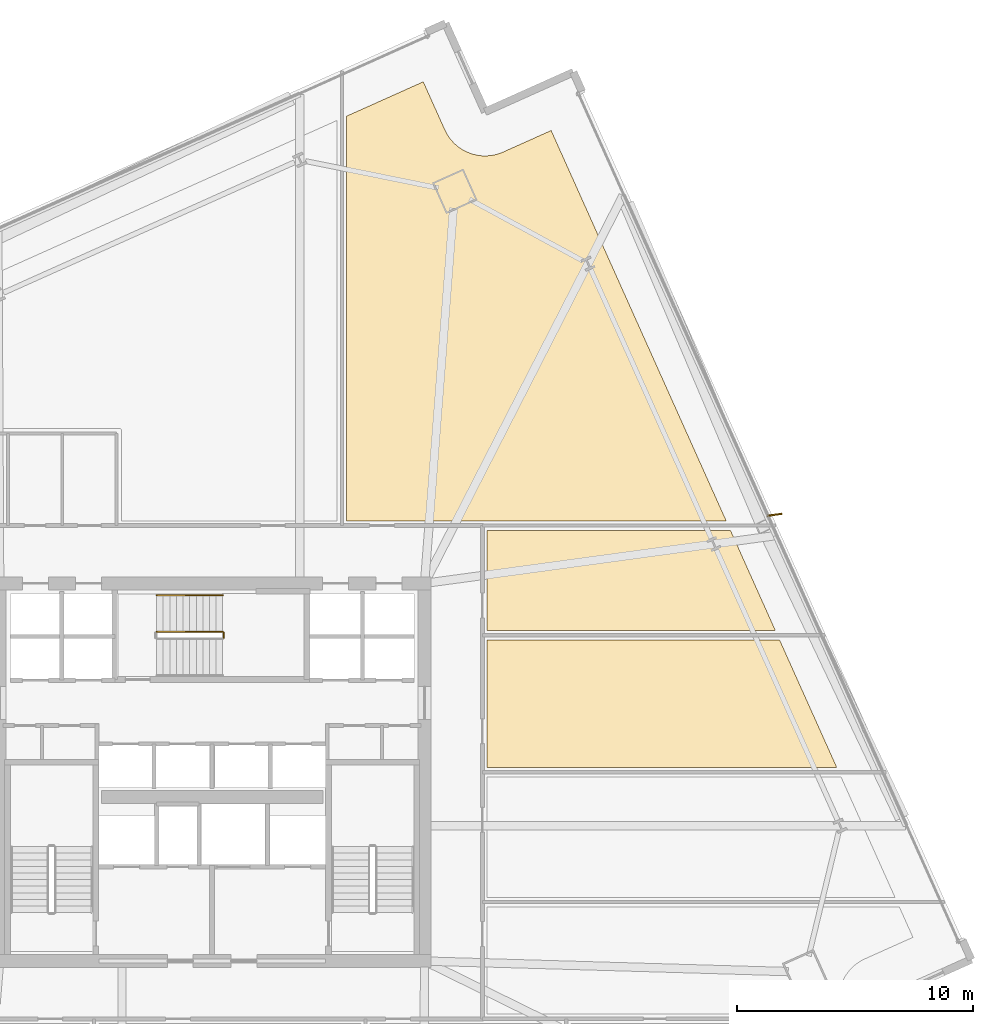
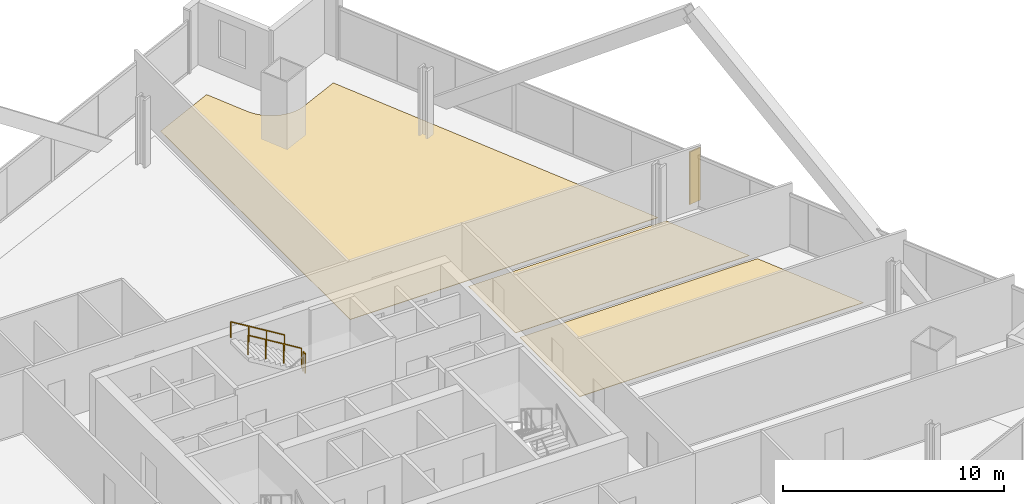
# One storey, part 37 of 38: 3 coverings, 3 railings, 1 shading device.
"""IFC4 building model written with IfcOpenShell, lengths in metres."""

from ifc_helpers import new_model, si_unit, direction, frame, origin, origin_2d, place, context, subcontext, project, spatial, polyline, rectangle, outline, extrude, source, transform, mapped, material, layer, layer_set, type_object, element, save


model = new_model("IFC4")

# Units and contexts
model_context = context("Model", 3, precision=1e-05, world=origin(), true_north=direction((0.0, 1.0)))
body_context = subcontext(model_context, "Body", "Model", "MODEL_VIEW")
ifc_project = project(units=[si_unit("LENGTHUNIT", "METRE"), si_unit("AREAUNIT", "SQUARE_METRE"), si_unit("VOLUMEUNIT", "CUBIC_METRE"), si_unit("PLANEANGLEUNIT", "RADIAN"), si_unit("MASSUNIT", "GRAM", prefix="KILO")], contexts=[model_context])

# Site, building, storey
site_placement = place(None, origin())
site = spatial("IfcSite", under=ifc_project, at=site_placement, CompositionType="ELEMENT")
building_placement = place(site_placement, origin())
building = spatial("IfcBuilding", under=site, at=building_placement, Name="Haldenkirk Collegiate Tower", CompositionType="ELEMENT")
storey_placement = place(building_placement, frame((0.0, 0.0, 109.199951171875)))
storey = spatial("IfcBuildingStorey", under=building, at=storey_placement, Name="L26", CompositionType="ELEMENT", Elevation=109.199951171875)

# Coverings
ifc_material_1 = material(Name="Polished collegiate terrazzo", Category="concrete")
ifc_layer_1 = layer(ifc_material_1, 0.02490234375)
ifc_layer_set_1 = layer_set([ifc_layer_1], Name="Polished collegiate terrazzo")
covering_type_1 = type_object("IfcCoveringType", Name="COV-FLOOR-TERRAZZO", PredefinedType="FLOORING", material=ifc_layer_set_1)
covering_1_placement = place(storey_placement, origin())
element("IfcCovering", 1, at=covering_1_placement, inside=storey, type_object=covering_type_1, Name="L26 academic room finish 08", PredefinedType="FLOORING", context=body_context, shape_type="SweptSolid", body=[
    extrude(outline(polyline([(44.946044921875, 55.25), (45.8583984375, 53.215087890625), (45.86083984375, 53.2099609375), (45.938720703125, 53.056884765625), (45.944580078125, 53.046630859375), (46.037109375, 52.90185546875), (46.0439453125, 52.89208984375), (46.150146484375, 52.75732421875), (46.157958984375, 52.74853515625), (46.27685546875, 52.62451171875), (46.285400390625, 52.616455078125), (46.416015625, 52.5048828125), (46.42529296875, 52.497802734375), (46.566162109375, 52.3994140625), (46.576171875, 52.39306640625), (46.725830078125, 52.30908203125), (46.736328125, 52.303955078125), (46.8935546875, 52.235107421875), (46.904541015625, 52.230712890625), (47.06787109375, 52.177490234375), (47.079345703125, 52.174560546875), (47.2470703125, 52.1376953125), (47.2587890625, 52.135498046875), (47.42919921875, 52.115234375), (47.44091796875, 52.114501953125), (47.61279296875, 52.111083984375), (47.62451171875, 52.111328125), (47.795654296875, 52.124755859375), (47.807373046875, 52.126220703125), (47.976318359375, 52.156494140625), (47.98779296875, 52.158935546875), (48.1533203125, 52.20556640625), (48.164306640625, 52.209228515625), (48.324462890625, 52.271728515625), (48.329833984375, 52.27392578125), (50.364501953125, 53.186279296875), (57.779052734375, 36.64990234375), (41.699951171875, 36.64990234375), (41.699951171875, 53.794677734375), (44.946044921875, 55.25)])), origin(), (0.0, 0.0, 1.0), 0.025146484375),
])
covering_2_placement = place(storey_placement, origin())
element("IfcCovering", 2, at=covering_2_placement, inside=storey, type_object=covering_type_1, Name="L26 academic room finish 12", PredefinedType="FLOORING", context=body_context, shape_type="SweptSolid", body=[
    extrude(outline(polyline([(62.464599609375, 26.199951171875), (47.64990234375, 26.199951171875), (47.64990234375, 31.60009765625), (60.043212890625, 31.60009765625), (62.464599609375, 26.199951171875)])), origin(), (0.0, 0.0, 1.0), 0.025146484375),
])
ifc_material_2 = material(Name="Engineered collegiate oak acoustic flooring", Category="wood")
ifc_layer_2 = layer(ifc_material_2, 0.02197265625)
ifc_layer_set_2 = layer_set([ifc_layer_2], Name="Engineered collegiate oak acoustic flooring")
covering_type_2 = type_object("IfcCoveringType", Name="COV-FLOOR-TIMBER", PredefinedType="FLOORING", material=ifc_layer_set_2)
covering_3_placement = place(storey_placement, origin())
element("IfcCovering", 3, at=covering_3_placement, inside=storey, type_object=covering_type_2, Name="L26 academic room finish 13", PredefinedType="FLOORING", context=body_context, shape_type="SweptSolid", body=[
    extrude(outline(polyline([(59.864013671875, 32.0), (47.64990234375, 32.0), (47.64990234375, 36.25), (57.958251953125, 36.25), (59.864013671875, 32.0)])), origin(), (0.0, 0.0, 1.0), 0.02197265625),
])

# Railings
ifc_material_3 = material(Name="Painted architectural tubular steel", Category="steel")
railing_type_1 = type_object("IfcRailingType", Name="RLG-STAIR-GUARD-1100", PredefinedType="BALUSTRADE", material=ifc_material_3)
railing_1_placement = place(storey_placement, frame((36.5, 31.699951171875, 1.875)))
element("IfcRailing", 4, at=railing_1_placement, inside=storey, type_object=railing_type_1, Name="L26 ST-3 stair guard 2", PredefinedType="BALUSTRADE", context=body_context, shape_type="SweptSolid", body=[
    extrude(rectangle(XDim=0.048095703125, YDim=0.048095703125, at=origin_2d()), frame((0.0, 0.0, 1.076171875), z_axis=(0.0, 1.0, 0.0), x_axis=(-1.0, 0.0, 0.0)), (0.0, 0.0, 1.0), 0.199951171875),
    extrude(rectangle(XDim=0.0419921875, YDim=0.0419921875, at=origin_2d()), origin(), (0.0, 0.0, 1.0), 1.052001953125),
    extrude(rectangle(XDim=0.0419921875, YDim=0.0419921875, at=origin_2d()), frame((0.0, 0.199951171875, 0.0)), (0.0, 0.0, 1.0), 1.052001953125),
])
railing_2_placement = place(storey_placement, frame((36.449951171875, 31.949951171875, 2.04541015625)))
element("IfcRailing", 5, at=railing_2_placement, inside=storey, type_object=railing_type_1, Name="L26 ST-3 stair guard 3", PredefinedType="BALUSTRADE", context=body_context, shape_type="SweptSolid", body=[
    extrude(rectangle(XDim=0.048095703125, YDim=0.048095703125, at=origin_2d()), frame((0.0, 0.0, 1.076171875), z_axis=(-0.854169791009, 0.0, 0.51999420009), x_axis=(0.0, -1.0, 0.0)), (0.0, 0.0, 1.0), 3.278076171875),
    extrude(rectangle(XDim=0.0419921875, YDim=0.0419921875, at=origin_2d()), origin(), (0.0, 0.0, 1.0), 1.052001953125),
    extrude(rectangle(XDim=0.0419921875, YDim=0.0419921875, at=origin_2d()), frame((-0.933349609375, 0.0, 0.568115234375)), (0.0, 0.0, 1.0), 1.052001953125),
    extrude(rectangle(XDim=0.0419921875, YDim=0.0419921875, at=origin_2d()), frame((-1.86669921875, 0.0, 1.136474609375)), (0.0, 0.0, 1.0), 1.052001953125),
    extrude(rectangle(XDim=0.0419921875, YDim=0.0419921875, at=origin_2d()), frame((-2.800048828125, 0.0, 1.70458984375)), (0.0, 0.0, 1.0), 1.052001953125),
])
railing_type_2 = type_object("IfcRailingType", Name="RLG-STAIR-HANDRAIL-900", PredefinedType="HANDRAIL", material=ifc_material_3)
railing_3_placement = place(storey_placement, frame((36.449951171875, 33.5, 2.04541015625)))
element("IfcRailing", 6, at=railing_3_placement, inside=storey, type_object=railing_type_2, Name="L26 ST-3 stair handrail 2", PredefinedType="HANDRAIL", context=body_context, shape_type="SweptSolid", body=[
    extrude(rectangle(XDim=0.048095703125, YDim=0.048095703125, at=origin_2d()), frame((0.0, 0.0, 0.8759765625), z_axis=(-0.854169791009, 0.0, 0.51999420009), x_axis=(0.0, -1.0, 0.0)), (0.0, 0.0, 1.0), 3.278076171875),
    extrude(rectangle(XDim=0.0419921875, YDim=0.0419921875, at=origin_2d()), origin(), (0.0, 0.0, 1.0), 0.851806640625),
    extrude(rectangle(XDim=0.0419921875, YDim=0.0419921875, at=origin_2d()), frame((-0.933349609375, 0.0, 0.568115234375)), (0.0, 0.0, 1.0), 0.851806640625),
    extrude(rectangle(XDim=0.0419921875, YDim=0.0419921875, at=origin_2d()), frame((-1.86669921875, 0.0, 1.136474609375)), (0.0, 0.0, 1.0), 0.851806640625),
    extrude(rectangle(XDim=0.0419921875, YDim=0.0419921875, at=origin_2d()), frame((-2.800048828125, 0.0, 1.70458984375)), (0.0, 0.0, 1.0), 0.851806640625),
])

# Shading device
ifc_material_4 = material(Name="Anodised architectural bronze aluminium", Category="aluminium")
ifc_layer_3 = layer(ifc_material_4, 0.06494140625)
ifc_layer_set_3 = layer_set([ifc_layer_3], Name="Anodised architectural bronze aluminium")
shading_device_type = type_object("IfcShadingDeviceType", Name="SHD-FIN-BRONZE-620", PredefinedType="USERDEFINED", material=ifc_layer_set_3)
shared_shape = source(origin(), body_context, "Body", "SweptSolid", [
    extrude(rectangle(XDim=0.6201171875, YDim=0.06494140625, at=origin_2d()), origin(), (0.0, 0.0, 1.0), 2.90087890625),
])
shading_device_placement = place(storey_placement, frame((59.8388671875, 36.90771484375, 0.0), z_axis=(0.0, 0.0, 1.0), x_axis=(0.989900321238, 0.141765136802, 0.0)))
element("IfcShadingDevice", 7, at=shading_device_placement, inside=storey, type_object=shading_device_type, Name="L26 folded bronze solar fin 1", ObjectType="FIN", PredefinedType="USERDEFINED", context=body_context, shape_type="MappedRepresentation", body=[
    mapped(shared_shape, transform((0.0, 0.0, 0.0), x_axis=(1.0, 0.0, 0.0), y_axis=(0.0, 1.0, 0.0), z_axis=(0.0, 0.0, 1.0), scale=1.0)),
])

save(model, "model.ifc")
